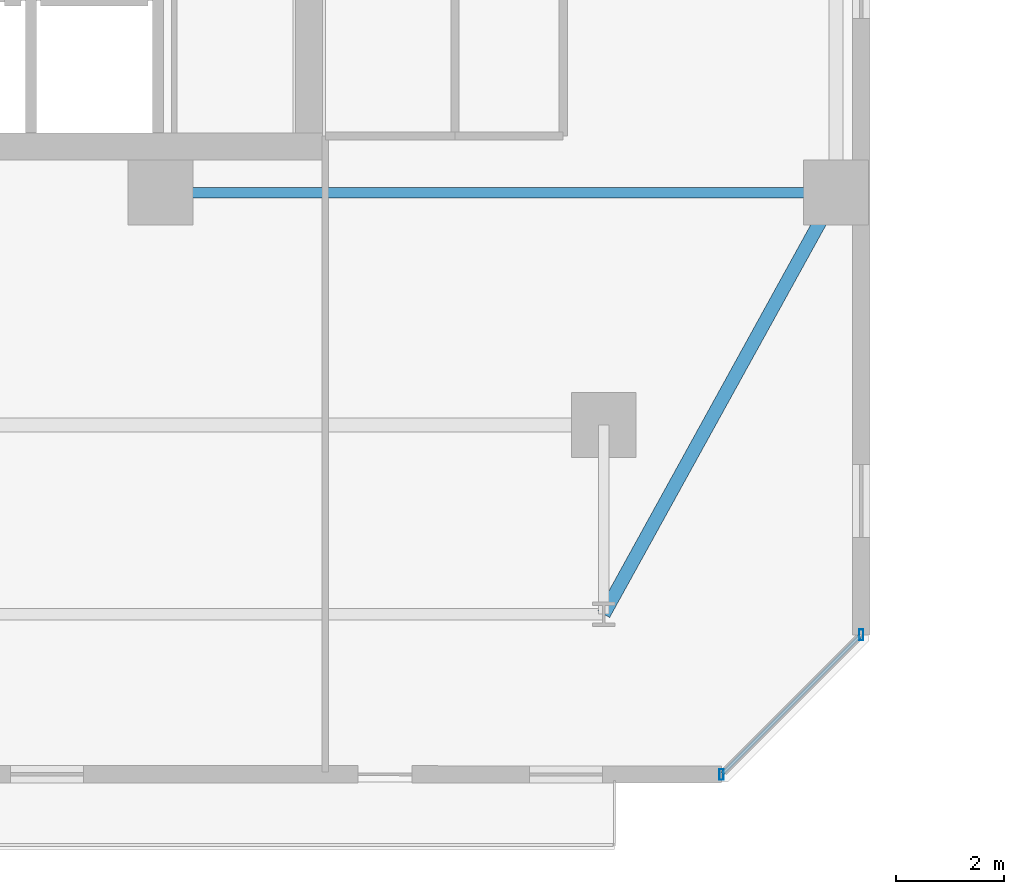
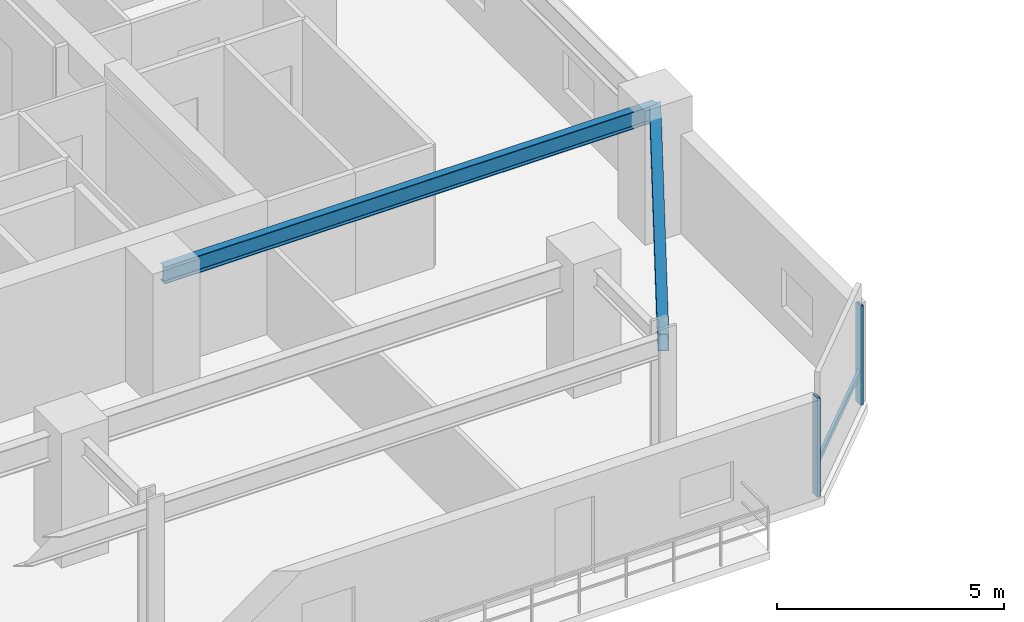
# One storey, part 5 of 34: 3 members, 2 beams, 1 element without a shape of its own.
"""IFC4 building model written with IfcOpenShell, lengths in metres."""

from ifc_helpers import new_model, si_unit, direction, frame, origin, origin_2d, place, context, subcontext, project, spatial, hollow_rectangle, i_section, extrude, material, material_profile, profile_set, type_object, element, aggregate, save


model = new_model("IFC4")

# Units and contexts
model_context = context("Model", 3, precision=1e-05, world=origin(), true_north=direction((0.0, 1.0)))
body_context = subcontext(model_context, "Body", "Model", "MODEL_VIEW")
ifc_project = project(units=[si_unit("LENGTHUNIT", "METRE"), si_unit("AREAUNIT", "SQUARE_METRE"), si_unit("VOLUMEUNIT", "CUBIC_METRE"), si_unit("PLANEANGLEUNIT", "RADIAN"), si_unit("MASSUNIT", "GRAM", prefix="KILO")], contexts=[model_context])

# Site, building, storey
site_placement = place(None, origin())
site = spatial("IfcSite", under=ifc_project, at=site_placement, CompositionType="ELEMENT")
building_placement = place(site_placement, origin())
building = spatial("IfcBuilding", under=site, at=building_placement, Name="Thornwick Lancets Civic Towers", CompositionType="ELEMENT")
storey_placement = place(building_placement, frame((0.0, 0.0, 137.699951171875)))
storey = spatial("IfcBuildingStorey", under=building, at=storey_placement, Name="L36", CompositionType="ELEMENT", Elevation=137.699951171875)

# Beams
ifc_material_1 = material(Name="Steel S355JR", Category="steel")
ifc_material_profile_1 = material_profile(ifc_material_1, i_section(OverallWidth=0.19189453125, OverallDepth=0.46337890625, WebThickness=0.010498046875, FlangeThickness=0.017578125, FilletRadius=0.01025390625, at=origin_2d()), Name="UKB 457x191x89")
ifc_profile_set_1 = profile_set([ifc_material_profile_1], Name="Steel S355JR")
beam_type_1 = type_object("IfcBeamType", Name="BM_JOIST_457_89", PredefinedType="JOIST", material=ifc_profile_set_1)
beam_1_placement = place(storey_placement, frame((30.300048828125, 14.0, 3.04833984375), z_axis=(1.0, 0.0, 0.0), x_axis=(0.0, 1.0, 0.0)))
element("IfcBeam", 1, at=beam_1_placement, inside=storey, type_object=beam_type_1, Name="BM-RADIN-L36-A04", PredefinedType="JOIST", context=body_context, shape_type="SweptSolid", body=[
    extrude(i_section(OverallWidth=0.19189453125, OverallDepth=0.46337890625, WebThickness=0.010498046875, FlangeThickness=0.017578125, FilletRadius=0.01025390625, at=origin_2d()), origin(), (0.0, 0.0, 1.0), 12.5),
])
ifc_material_profile_2 = material_profile(ifc_material_1, hollow_rectangle(XDim=0.25, YDim=0.449951171875, WallThickness=0.01611328125, at=origin_2d()), Name="RHS 450x250x16")
ifc_profile_set_2 = profile_set([ifc_material_profile_2], Name="Steel S355JR")
beam_type_2 = type_object("IfcBeamType", Name="BM_RING_RHS450", PredefinedType="BEAM", material=ifc_profile_set_2)
beam_2_placement = place(storey_placement, frame((38.5, 6.199951171875, 3.054931640625), z_axis=(0.482782395749, 0.875740348708, 0.0), x_axis=(-0.875740348708, 0.482782395749, 0.0)))
element("IfcBeam", 2, at=beam_2_placement, inside=storey, type_object=beam_type_2, Name="BM-CHAMF-L36-A-C0", PredefinedType="BEAM", context=body_context, shape_type="SweptSolid", body=[
    extrude(hollow_rectangle(XDim=0.25, YDim=0.449951171875, WallThickness=0.01611328125, at=origin_2d()), origin(), (0.0, 0.0, 1.0), 8.90673828125),
])

# Curtain wall, members
ifc_material_2 = material(Name="Mid-zone chamfered-corner unitised glass curtain wall", Category="glass")
curtain_wall_type = type_object("IfcCurtainWallType", Name="CW_SYS_04", PredefinedType="NOTDEFINED", material=ifc_material_2)
curtain_wall_placement = place(storey_placement, origin())
curtain_wall = element("IfcCurtainWall", 3, at=curtain_wall_placement, inside=storey, type_object=curtain_wall_type, Name="L36 Curtain Wall CW-L36-A-E1", PredefinedType="NOTDEFINED")
ifc_material_3 = material(Name="Thermally broken bronze aluminium S355", Category="steel")
ifc_material_profile_3 = material_profile(ifc_material_3, hollow_rectangle(XDim=0.080078125, YDim=0.199951171875, WallThickness=0.006103515625, at=origin_2d()), Name="RHS 200x80x6")
ifc_profile_set_3 = profile_set([ifc_material_profile_3], Name="Thermally broken bronze aluminium S355")
member_type_1 = type_object("IfcMemberType", Name="CW_MUL_200", PredefinedType="MULLION", material=ifc_profile_set_3)
member_1_placement = place(storey_placement, frame((40.681396484375, 3.2353515625, 0.0), z_axis=(0.0, 0.0, 1.0), x_axis=(1.0, 0.0, 0.0)))
member_1 = element("IfcMember", 4, at=member_1_placement, type_object=member_type_1, Name="CW-L36-A-E1 Mullion 0", PredefinedType="MULLION", context=body_context, shape_type="SweptSolid", body=[
    extrude(hollow_rectangle(XDim=0.080078125, YDim=0.199951171875, WallThickness=0.006103515625, at=origin_2d()), origin(), (0.0, 0.0, 1.0), 2.66015625),
])
member_2_placement = place(storey_placement, frame((43.2646484375, 5.818603515625, 0.0), z_axis=(0.0, 0.0, 1.0), x_axis=(1.0, 0.0, 0.0)))
member_2 = element("IfcMember", 5, at=member_2_placement, type_object=member_type_1, Name="CW-L36-A-E1 Mullion 1", PredefinedType="MULLION", context=body_context, shape_type="SweptSolid", body=[
    extrude(hollow_rectangle(XDim=0.080078125, YDim=0.199951171875, WallThickness=0.006103515625, at=origin_2d()), origin(), (0.0, 0.0, 1.0), 2.66015625),
])
ifc_material_profile_4 = material_profile(ifc_material_3, hollow_rectangle(XDim=0.074951171875, YDim=0.14990234375, WallThickness=0.0048828125, at=origin_2d()), Name="RHS 150x75x5")
ifc_profile_set_4 = profile_set([ifc_material_profile_4], Name="Thermally broken bronze aluminium S355")
member_type_2 = type_object("IfcMemberType", Name="CW_TRN_150", PredefinedType="USERDEFINED", material=ifc_profile_set_4)
member_3_placement = place(storey_placement, frame((40.695556640625, 3.24951171875, 0.85009765625), z_axis=(0.707106781187, 0.707106781187, 0.0), x_axis=(-0.707106781187, 0.707106781187, 0.0)))
member_3 = element("IfcMember", 6, at=member_3_placement, type_object=member_type_2, Name="CW-L36-A-E1 Transom 0", ObjectType="TRANSOM", PredefinedType="USERDEFINED", context=body_context, shape_type="SweptSolid", body=[
    extrude(hollow_rectangle(XDim=0.074951171875, YDim=0.14990234375, WallThickness=0.0048828125, at=origin_2d()), origin(), (0.0, 0.0, 1.0), 3.61328125),
])
aggregate(curtain_wall, [member_1, member_2, member_3])

save(model, "model.ifc")
